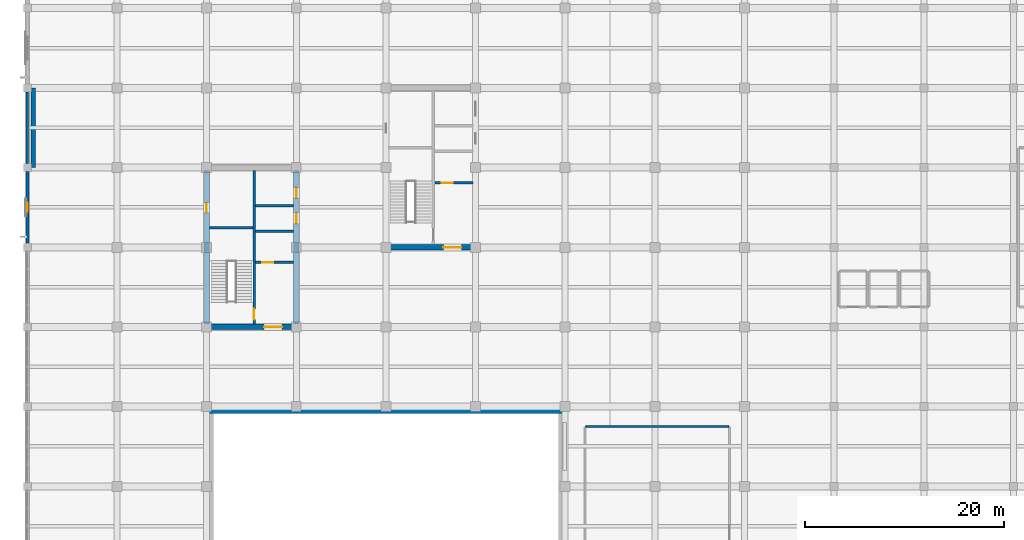
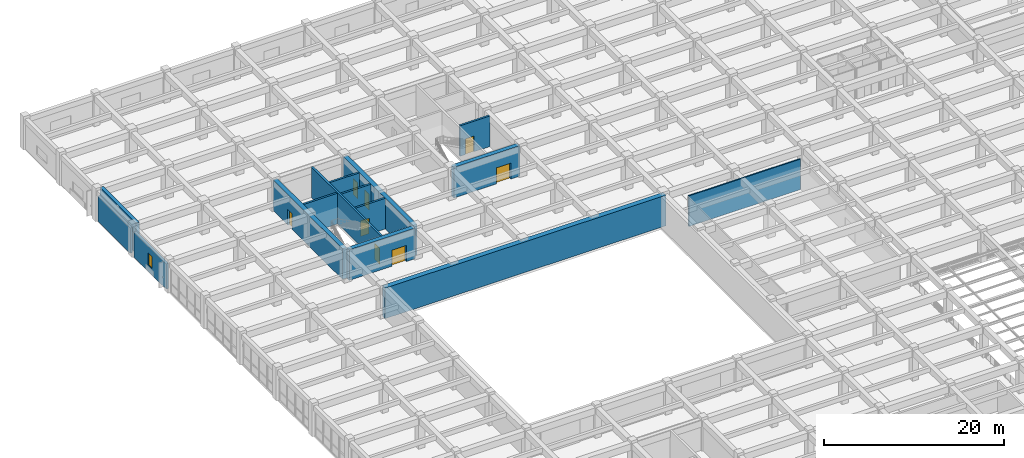
# One storey, part 29 of 50: 15 walls, 8 doors, 1 window, 9 openings.
"""IFC4 building model written with IfcOpenShell, lengths in metres."""

from ifc_helpers import new_model, si_unit, direction, frame, frame_2d, origin, place, context, subcontext, project, spatial, rectangle, extrude, material, layer, layer_set, type_object, element, fill, save


model = new_model("IFC4")

# Units and contexts
model_context = context("Model", 3, precision=1e-05, world=origin(), true_north=direction((0.0, 1.0)))
body_context = subcontext(model_context, "Body", "Model", "MODEL_VIEW")
ifc_project = project(units=[si_unit("LENGTHUNIT", "METRE"), si_unit("AREAUNIT", "SQUARE_METRE"), si_unit("VOLUMEUNIT", "CUBIC_METRE"), si_unit("PLANEANGLEUNIT", "RADIAN"), si_unit("MASSUNIT", "GRAM", prefix="KILO")], contexts=[model_context])

# Site, building, storey
site_placement = place(None, origin())
site = spatial("IfcSite", under=ifc_project, at=site_placement, CompositionType="ELEMENT")
building_placement = place(site_placement, origin())
building = spatial("IfcBuilding", under=site, at=building_placement, Name="Zaverband Oceanarium and Marine Research Institute", CompositionType="ELEMENT")
storey_placement = place(building_placement, frame((0.0, 0.0, 9.0)))
storey = spatial("IfcBuildingStorey", under=building, at=storey_placement, Name="L02", CompositionType="ELEMENT", Elevation=9.0)

# Wall, opening, door
ifc_material_1 = material(Name="Concrete C50/60", Category="concrete")
ifc_layer_1 = layer(ifc_material_1, 0.550048828125, Name="Concrete C50/60")
ifc_layer_set_1 = layer_set([ifc_layer_1], Name="Concrete C50/60")
wall_type_1 = type_object("IfcWallType", Name="CW-01", PredefinedType="SHEAR", material=ifc_layer_set_1)
wall_1_placement = place(storey_placement, frame((18.27490234375, 80.0, 0.0), z_axis=(0.0, 0.0, 1.0), x_axis=(1.0, 0.0, 0.0)))
wall_1 = element("IfcWall", 1, at=wall_1_placement, inside=storey, type_object=wall_type_1, Name="Structural shear wall CW-01", PredefinedType="SHEAR", context=body_context, shape_type="SweptSolid", body=[
    extrude(rectangle(XDim=8.4501953125, YDim=0.550048828125, at=frame_2d((4.22509765625, 0.0))), origin(), (0.0, 0.0, 1.0), 4.139892578125),
])
opening_1_placement = place(wall_1_placement, frame((5.5, 0.0, 0.0)))
opening_1 = element("IfcOpeningElement", 2, at=opening_1_placement, cuts=wall_1, Name="Opening FD-02", PredefinedType="OPENING", context=body_context, shape_type="SweptSolid", body=[
    extrude(rectangle(XDim=1.800048828125, YDim=2.179931640625, at=frame_2d((0.89990234375, 1.08984375))), frame((0.0, 0.287109375, 0.0), z_axis=(0.0, -1.0, 0.0), x_axis=(1.0, 0.0, 0.0)), (0.0, 0.0, 1.0), 0.573974609375),
])
ifc_material_2 = material(Name="Steel S355", Category="steel")
door_type_1 = type_object("IfcDoorType", Name="FD-02", OperationType="DOUBLE_DOOR_SINGLE_SWING", PredefinedType="DOOR", material=ifc_material_2)
door_1_placement = place(opening_1_placement, origin())
door_1 = element("IfcDoor", 3, at=door_1_placement, inside=storey, type_object=door_type_1, Name="Protected lobby double fire door FD-02", OperationType="DOUBLE_DOOR_SINGLE_SWING", OverallHeight=2.179931640625, OverallWidth=1.800048828125, PredefinedType="DOOR", context=body_context, shape_type="SweptSolid", body=[
    extrude(rectangle(XDim=1.800048828125, YDim=2.179931640625, at=frame_2d((0.89990234375, 1.08984375))), frame((0.0, 0.02490234375, 0.0), z_axis=(0.0, -1.0, 0.0), x_axis=(1.0, 0.0, 0.0)), (0.0, 0.0, 1.0), 0.050048828125),
])
fill(opening_1, door_1)

wall_2_placement = place(storey_placement, frame((18.0, 80.27490234375, 0.0), z_axis=(0.0, 0.0, 1.0), x_axis=(0.0, 1.0, 0.0)))
wall_2 = element("IfcWall", 4, at=wall_2_placement, inside=storey, type_object=wall_type_1, Name="Structural shear wall CW-01", PredefinedType="SHEAR", context=body_context, shape_type="SweptSolid", body=[
    extrude(rectangle(XDim=15.4501953125, YDim=0.550048828125, at=frame_2d((7.72509765625, 0.0))), origin(), (0.0, 0.0, 1.0), 4.139892578125),
])
opening_2_placement = place(wall_2_placement, frame((11.199951171875, 0.0, 0.0)))
opening_2 = element("IfcOpeningElement", 5, at=opening_2_placement, cuts=wall_2, Name="Opening FD-03", PredefinedType="OPENING", context=body_context, shape_type="SweptSolid", body=[
    extrude(rectangle(XDim=0.949951171875, YDim=2.10009765625, at=frame_2d((0.47509765625, 1.050048828125))), frame((0.0, 0.287109375, 0.0), z_axis=(0.0, -1.0, 0.0), x_axis=(1.0, 0.0, 0.0)), (0.0, 0.0, 1.0), 0.573974609375),
])
door_type_2 = type_object("IfcDoorType", Name="FD-03", OperationType="NOTDEFINED", PredefinedType="DOOR", material=ifc_material_2)
door_2_placement = place(opening_2_placement, origin())
door_2 = element("IfcDoor", 6, at=door_2_placement, inside=storey, type_object=door_type_2, Name="Service riser access fire door FD-03", OperationType="SINGLE_SWING_RIGHT", OverallHeight=2.10009765625, OverallWidth=0.949951171875, PredefinedType="DOOR", context=body_context, shape_type="SweptSolid", body=[
    extrude(rectangle(XDim=0.949951171875, YDim=2.10009765625, at=frame_2d((0.47509765625, 1.050048828125))), frame((0.0, 0.02490234375, 0.0), z_axis=(0.0, -1.0, 0.0), x_axis=(1.0, 0.0, 0.0)), (0.0, 0.0, 1.0), 0.050048828125),
])
fill(opening_2, door_2)

# Wall, openings, doors
wall_3_placement = place(storey_placement, frame((27.0, 80.27490234375, 0.0), z_axis=(0.0, 0.0, 1.0), x_axis=(0.0, 1.0, 0.0)))
wall_3 = element("IfcWall", 7, at=wall_3_placement, inside=storey, type_object=wall_type_1, Name="Structural shear wall CW-01", PredefinedType="SHEAR", context=body_context, shape_type="SweptSolid", body=[
    extrude(rectangle(XDim=15.4501953125, YDim=0.550048828125, at=frame_2d((7.72509765625, 0.0))), origin(), (0.0, 0.0, 1.0), 4.139892578125),
])
opening_3_placement = place(wall_3_placement, frame((10.10009765625, 0.0, 0.0)))
opening_3 = element("IfcOpeningElement", 8, at=opening_3_placement, cuts=wall_3, Name="Opening LD-02", PredefinedType="OPENING", context=body_context, shape_type="SweptSolid", body=[
    extrude(rectangle(XDim=1.050048828125, YDim=2.1201171875, at=frame_2d((0.52490234375, 1.06005859375))), frame((0.0, 0.287109375, 0.0), z_axis=(0.0, -1.0, 0.0), x_axis=(1.0, 0.0, 0.0)), (0.0, 0.0, 1.0), 0.573974609375),
])
opening_4_placement = place(wall_3_placement, frame((12.64990234375, 0.0, 0.0)))
opening_4 = element("IfcOpeningElement", 9, at=opening_4_placement, cuts=wall_3, Name="Opening LD-02", PredefinedType="OPENING", context=body_context, shape_type="SweptSolid", body=[
    extrude(rectangle(XDim=1.050048828125, YDim=2.1201171875, at=frame_2d((0.52490234375, 1.06005859375))), frame((0.0, 0.287109375, 0.0), z_axis=(0.0, -1.0, 0.0), x_axis=(1.0, 0.0, 0.0)), (0.0, 0.0, 1.0), 0.573974609375),
])
door_type_3 = type_object("IfcDoorType", Name="LD-02", OperationType="DOUBLE_DOOR_SLIDING", PredefinedType="DOOR", material=ifc_material_2)
door_3_placement = place(opening_3_placement, origin())
door_3 = element("IfcDoor", 10, at=door_3_placement, inside=storey, type_object=door_type_3, Name="Passenger lift sliding landing door LD-02", OperationType="DOUBLE_DOOR_SLIDING", OverallHeight=2.1201171875, OverallWidth=1.050048828125, PredefinedType="DOOR", context=body_context, shape_type="SweptSolid", body=[
    extrude(rectangle(XDim=1.050048828125, YDim=2.1201171875, at=frame_2d((0.52490234375, 1.06005859375))), frame((0.0, 0.02490234375, 0.0), z_axis=(0.0, -1.0, 0.0), x_axis=(1.0, 0.0, 0.0)), (0.0, 0.0, 1.0), 0.050048828125),
])
fill(opening_3, door_3)
door_4_placement = place(opening_4_placement, origin())
door_4 = element("IfcDoor", 11, at=door_4_placement, inside=storey, type_object=door_type_3, Name="Passenger lift sliding landing door LD-02", OperationType="DOUBLE_DOOR_SLIDING", OverallHeight=2.1201171875, OverallWidth=1.050048828125, PredefinedType="DOOR", context=body_context, shape_type="SweptSolid", body=[
    extrude(rectangle(XDim=1.050048828125, YDim=2.1201171875, at=frame_2d((0.52490234375, 1.06005859375))), frame((0.0, 0.02490234375, 0.0), z_axis=(0.0, -1.0, 0.0), x_axis=(1.0, 0.0, 0.0)), (0.0, 0.0, 1.0), 0.050048828125),
])
fill(opening_4, door_4)

# Wall, opening, door
wall_4_placement = place(storey_placement, frame((36.27490234375, 88.0, 0.0), z_axis=(0.0, 0.0, 1.0), x_axis=(1.0, 0.0, 0.0)))
wall_4 = element("IfcWall", 12, at=wall_4_placement, inside=storey, type_object=wall_type_1, Name="Structural shear wall CW-01", PredefinedType="SHEAR", context=body_context, shape_type="SweptSolid", body=[
    extrude(rectangle(XDim=8.4501953125, YDim=0.550048828125, at=frame_2d((4.22509765625, 0.0))), origin(), (0.0, 0.0, 1.0), 4.139892578125),
])
opening_5_placement = place(wall_4_placement, frame((5.5, 0.0, 0.0)))
opening_5 = element("IfcOpeningElement", 13, at=opening_5_placement, cuts=wall_4, Name="Opening FD-02", PredefinedType="OPENING", context=body_context, shape_type="SweptSolid", body=[
    extrude(rectangle(XDim=1.800048828125, YDim=2.179931640625, at=frame_2d((0.89990234375, 1.08984375))), frame((0.0, 0.287109375, 0.0), z_axis=(0.0, -1.0, 0.0), x_axis=(1.0, 0.0, 0.0)), (0.0, 0.0, 1.0), 0.573974609375),
])
door_5_placement = place(opening_5_placement, origin())
door_5 = element("IfcDoor", 14, at=door_5_placement, inside=storey, type_object=door_type_1, Name="Protected lobby double fire door FD-02", OperationType="DOUBLE_DOOR_SINGLE_SWING", OverallHeight=2.179931640625, OverallWidth=1.800048828125, PredefinedType="DOOR", context=body_context, shape_type="SweptSolid", body=[
    extrude(rectangle(XDim=1.800048828125, YDim=2.179931640625, at=frame_2d((0.89990234375, 1.08984375))), frame((0.0, 0.02490234375, 0.0), z_axis=(0.0, -1.0, 0.0), x_axis=(1.0, 0.0, 0.0)), (0.0, 0.0, 1.0), 0.050048828125),
])
fill(opening_5, door_5)

# Wall
ifc_material_3 = material(Name="Concrete C40/50 precast", Category="concrete")
ifc_layer_2 = layer(ifc_material_3, 0.264892578125, Name="Concrete C40/50 precast")
ifc_layer_set_2 = layer_set([ifc_layer_2], Name="Concrete C40/50 precast")
wall_type_2 = type_object("IfcWallType", Name="EW-265", PredefinedType="STANDARD", material=ifc_layer_set_2)
wall_5_placement = place(storey_placement, frame((0.0, 96.405029296875, 0.0), z_axis=(0.0, 0.0, 1.0), x_axis=(0.0, 1.0, 0.0)))
element("IfcWall", 15, at=wall_5_placement, inside=storey, type_object=wall_type_2, Name="Exterior infill wall EW-265", PredefinedType="STANDARD", context=body_context, shape_type="SweptSolid", body=[
    extrude(rectangle(XDim=7.18994140625, YDim=0.264892578125, at=frame_2d((3.594970703125, 0.0))), origin(), (0.0, 0.0, 1.0), 3.419921875),
])

# Wall, opening, window
ifc_layer_3 = layer(ifc_material_3, 0.2900390625, Name="Concrete C40/50 precast")
ifc_layer_set_3 = layer_set([ifc_layer_3], Name="Concrete C40/50 precast")
wall_type_3 = type_object("IfcWallType", Name="EW-290", PredefinedType="STANDARD", material=ifc_layer_set_3)
wall_6_placement = place(storey_placement, frame((0.0, 88.405029296875, 0.0), z_axis=(0.0, 0.0, 1.0), x_axis=(0.0, 1.0, 0.0)))
wall_6 = element("IfcWall", 16, at=wall_6_placement, inside=storey, type_object=wall_type_3, Name="Exterior infill wall EW-290", PredefinedType="STANDARD", context=body_context, shape_type="SweptSolid", body=[
    extrude(rectangle(XDim=7.18994140625, YDim=0.2900390625, at=frame_2d((3.594970703125, 0.0))), origin(), (0.0, 0.0, 1.0), 3.419921875),
])
opening_6_placement = place(wall_6_placement, frame((3.14501953125, 0.0, 0.85009765625)))
opening_6 = element("IfcOpeningElement", 17, at=opening_6_placement, cuts=wall_6, Name="Opening WN-900x1650", PredefinedType="OPENING", context=body_context, shape_type="SweptSolid", body=[
    extrude(rectangle(XDim=0.89990234375, YDim=1.64990234375, at=frame_2d((0.449951171875, 0.824951171875))), frame((0.0, 0.156982421875, 0.0), z_axis=(0.0, -1.0, 0.0), x_axis=(1.0, 0.0, 0.0)), (0.0, 0.0, 1.0), 0.31396484375),
])
ifc_material_4 = material(Name="Thermally broken anodized aluminium and solar-control glass", Category="aluminium")
window_type = type_object("IfcWindowType", Name="WN-900x1650", PartitioningType="SINGLE_PANEL", PredefinedType="WINDOW", material=ifc_material_4)
window_placement = place(opening_6_placement, origin())
window = element("IfcWindow", 18, at=window_placement, inside=storey, type_object=window_type, Name="Fixed / casement exterior window WN-900x1650", OverallHeight=1.64990234375, OverallWidth=0.89990234375, PartitioningType="SINGLE_PANEL", PredefinedType="WINDOW", context=body_context, shape_type="SweptSolid", body=[
    extrude(rectangle(XDim=0.89990234375, YDim=1.64990234375, at=frame_2d((0.449951171875, 0.824951171875))), frame((0.0, 0.030029296875, 0.0), z_axis=(0.0, -1.0, 0.0), x_axis=(1.0, 0.0, 0.0)), (0.0, 0.0, 1.0), 0.06005859375),
])
fill(opening_6, window)

# Wall
ifc_material_5 = material(Name="Corridor rated drywall partition")
ifc_layer_4 = layer(ifc_material_5, 0.1650390625, Name="Corridor rated drywall partition")
ifc_layer_set_4 = layer_set([ifc_layer_4], Name="Corridor rated drywall partition")
wall_type_4 = type_object("IfcWallType", Name="PT-165-CR", PredefinedType="PARTITIONING", material=ifc_layer_set_4)
wall_7_placement = place(storey_placement, frame((56.08251953125, 70.0, 0.0), z_axis=(0.0, 0.0, 1.0), x_axis=(1.0, 0.0, 0.0)))
element("IfcWall", 19, at=wall_7_placement, inside=storey, type_object=wall_type_4, Name="Internal partition PT-165-CR", PredefinedType="PARTITIONING", context=body_context, shape_type="SweptSolid", body=[
    extrude(rectangle(XDim=14.3349609375, YDim=0.1650390625, at=frame_2d((7.16748046875, 0.0))), origin(), (0.0, 0.0, 1.0), 4.139892578125),
])

# Wall, opening, door
ifc_layer_5 = layer(ifc_material_1, 0.25, Name="Concrete C50/60")
ifc_layer_set_5 = layer_set([ifc_layer_5], Name="Concrete C50/60")
wall_type_5 = type_object("IfcWallType", Name="PW-CORE-250", PredefinedType="SOLIDWALL", material=ifc_layer_set_5)
wall_8_placement = place(storey_placement, frame((22.77490234375, 80.27490234375, 0.0), z_axis=(0.0, 0.0, 1.0), x_axis=(0.0, 1.0, 0.0)))
wall_8 = element("IfcWall", 20, at=wall_8_placement, inside=storey, type_object=wall_type_5, Name="Structural concrete wall PW-CORE-250", PredefinedType="SOLIDWALL", context=body_context, shape_type="SweptSolid", body=[
    extrude(rectangle(XDim=15.4501953125, YDim=0.25, at=frame_2d((7.72509765625, 0.0))), origin(), (0.0, 0.0, 1.0), 4.139892578125),
])
opening_7_placement = place(wall_8_placement, frame((0.449951171875, 0.0, 0.0)))
opening_7 = element("IfcOpeningElement", 21, at=opening_7_placement, cuts=wall_8, Name="Opening FD-01", PredefinedType="OPENING", context=body_context, shape_type="SweptSolid", body=[
    extrude(rectangle(XDim=1.10009765625, YDim=2.14990234375, at=frame_2d((0.550048828125, 1.074951171875))), frame((0.0, 0.136962890625, 0.0), z_axis=(0.0, -1.0, 0.0), x_axis=(1.0, 0.0, 0.0)), (0.0, 0.0, 1.0), 0.27392578125),
])
door_type_4 = type_object("IfcDoorType", Name="FD-01", OperationType="NOTDEFINED", PredefinedType="DOOR", material=ifc_material_2)
door_6_placement = place(opening_7_placement, origin())
door_6 = element("IfcDoor", 22, at=door_6_placement, inside=storey, type_object=door_type_4, Name="Core stair / lobby fire door FD-01", OperationType="SINGLE_SWING_LEFT", OverallHeight=2.14990234375, OverallWidth=1.10009765625, PredefinedType="DOOR", context=body_context, shape_type="SweptSolid", body=[
    extrude(rectangle(XDim=1.10009765625, YDim=2.14990234375, at=frame_2d((0.550048828125, 1.074951171875))), frame((0.0, 0.02490234375, 0.0), z_axis=(0.0, -1.0, 0.0), x_axis=(1.0, 0.0, 0.0)), (0.0, 0.0, 1.0), 0.050048828125),
])
fill(opening_7, door_6)

# Wall
wall_9_placement = place(storey_placement, frame((18.27490234375, 89.97509765625, 0.0), z_axis=(0.0, 0.0, 1.0), x_axis=(1.0, 0.0, 0.0)))
element("IfcWall", 23, at=wall_9_placement, inside=storey, type_object=wall_type_5, Name="Structural concrete wall PW-CORE-250", PredefinedType="SOLIDWALL", context=body_context, shape_type="SweptSolid", body=[
    extrude(rectangle(XDim=4.3701171875, YDim=0.25, at=frame_2d((2.18505859375, 0.0))), origin(), (0.0, 0.0, 1.0), 4.139892578125),
])

# Wall, opening, door
wall_10_placement = place(storey_placement, frame((22.905029296875, 86.47509765625, 0.0), z_axis=(0.0, 0.0, 1.0), x_axis=(1.0, 0.0, 0.0)))
wall_10 = element("IfcWall", 24, at=wall_10_placement, inside=storey, type_object=wall_type_5, Name="Structural concrete wall PW-CORE-250", PredefinedType="SOLIDWALL", context=body_context, shape_type="SweptSolid", body=[
    extrude(rectangle(XDim=3.820068359375, YDim=0.25, at=frame_2d((1.91015625, 0.0))), origin(), (0.0, 0.0, 1.0), 4.139892578125),
])
opening_8_placement = place(wall_10_placement, frame((0.695068359375, 0.0, 0.0)))
opening_8 = element("IfcOpeningElement", 25, at=opening_8_placement, cuts=wall_10, Name="Opening LD-01", PredefinedType="OPENING", context=body_context, shape_type="SweptSolid", body=[
    extrude(rectangle(XDim=1.10009765625, YDim=2.1201171875, at=frame_2d((0.550048828125, 1.06005859375))), frame((0.0, 0.136962890625, 0.0), z_axis=(0.0, -1.0, 0.0), x_axis=(1.0, 0.0, 0.0)), (0.0, 0.0, 1.0), 0.27392578125),
])
door_type_5 = type_object("IfcDoorType", Name="LD-01", OperationType="DOUBLE_DOOR_SLIDING", PredefinedType="DOOR", material=ifc_material_2)
door_7_placement = place(opening_8_placement, origin())
door_7 = element("IfcDoor", 26, at=door_7_placement, inside=storey, type_object=door_type_5, Name="Firefighting lift sliding landing door LD-01", OperationType="DOUBLE_DOOR_SLIDING", OverallHeight=2.1201171875, OverallWidth=1.10009765625, PredefinedType="DOOR", context=body_context, shape_type="SweptSolid", body=[
    extrude(rectangle(XDim=1.10009765625, YDim=2.1201171875, at=frame_2d((0.550048828125, 1.06005859375))), frame((0.0, 0.02490234375, 0.0), z_axis=(0.0, -1.0, 0.0), x_axis=(1.0, 0.0, 0.0)), (0.0, 0.0, 1.0), 0.050048828125),
])
fill(opening_8, door_7)

# Walls
for number, where, z_axis, x_axis, name in (
    (27, (22.905029296875, 89.6298828125, 0.0), (0.0, 0.0, 1.0), (1.0, 0.0, 0.0), "Structural concrete wall PW-CORE-250"),
    (28, (22.905029296875, 92.179931640625, 0.0), (0.0, 0.0, 1.0), (1.0, 0.0, 0.0), "Structural concrete wall PW-CORE-250"),
):
    element("IfcWall", number, at=place(storey_placement, frame(where, z_axis=z_axis, x_axis=x_axis)), inside=storey, type_object=wall_type_5, Name=name, PredefinedType="SOLIDWALL", context=body_context, shape_type="SweptSolid", body=[
        extrude(rectangle(XDim=3.820068359375, YDim=0.25, at=frame_2d((1.91015625, 0.0))), origin(), (0.0, 0.0, 1.0), 4.139892578125),
    ])

# Wall, opening, door
wall_11_placement = place(storey_placement, frame((40.905029296875, 94.47509765625, 0.0), z_axis=(0.0, 0.0, 1.0), x_axis=(1.0, 0.0, 0.0)))
wall_11 = element("IfcWall", 29, at=wall_11_placement, inside=storey, type_object=wall_type_5, Name="Structural concrete wall PW-CORE-250", PredefinedType="SOLIDWALL", context=body_context, shape_type="SweptSolid", body=[
    extrude(rectangle(XDim=3.820068359375, YDim=0.25, at=frame_2d((1.91015625, 0.0))), origin(), (0.0, 0.0, 1.0), 4.139892578125),
])
opening_9_placement = place(wall_11_placement, frame((0.695068359375, 0.0, 0.0)))
opening_9 = element("IfcOpeningElement", 30, at=opening_9_placement, cuts=wall_11, Name="Opening LD-01", PredefinedType="OPENING", context=body_context, shape_type="SweptSolid", body=[
    extrude(rectangle(XDim=1.10009765625, YDim=2.1201171875, at=frame_2d((0.550048828125, 1.06005859375))), frame((0.0, 0.136962890625, 0.0), z_axis=(0.0, -1.0, 0.0), x_axis=(1.0, 0.0, 0.0)), (0.0, 0.0, 1.0), 0.27392578125),
])
door_8_placement = place(opening_9_placement, origin())
door_8 = element("IfcDoor", 31, at=door_8_placement, inside=storey, type_object=door_type_5, Name="Firefighting lift sliding landing door LD-01", OperationType="DOUBLE_DOOR_SLIDING", OverallHeight=2.1201171875, OverallWidth=1.10009765625, PredefinedType="DOOR", context=body_context, shape_type="SweptSolid", body=[
    extrude(rectangle(XDim=1.10009765625, YDim=2.1201171875, at=frame_2d((0.550048828125, 1.06005859375))), frame((0.0, 0.02490234375, 0.0), z_axis=(0.0, -1.0, 0.0), x_axis=(1.0, 0.0, 0.0)), (0.0, 0.0, 1.0), 0.050048828125),
])
fill(opening_9, door_8)

# Walls
ifc_layer_6 = layer(ifc_material_1, 0.419921875, Name="Concrete C50/60")
ifc_layer_set_6 = layer_set([ifc_layer_6], Name="Concrete C50/60")
wall_type_6 = type_object("IfcWallType", Name="SW-01", PredefinedType="SHEAR", material=ifc_layer_set_6)
wall_12_placement = place(storey_placement, frame((0.60009765625, 96.0, 0.0), z_axis=(0.0, 0.0, 1.0), x_axis=(0.0, 1.0, 0.0)))
element("IfcWall", 32, at=wall_12_placement, inside=storey, type_object=wall_type_6, Name="Structural shear wall SW-01", PredefinedType="SHEAR", context=body_context, shape_type="SweptSolid", body=[
    extrude(rectangle(XDim=8.0, YDim=0.419921875, at=frame_2d((4.0, 0.0))), origin(), (0.0, 0.0, 1.0), 4.139892578125),
])
ifc_material_6 = material(Name="Concrete C45/55", Category="concrete")
ifc_layer_7 = layer(ifc_material_6, 0.64990234375, Name="Concrete C45/55")
ifc_layer_set_7 = layer_set([ifc_layer_7], Name="Concrete C45/55")
wall_type_7 = type_object("IfcWallType", Name="TW-01", PredefinedType="SHEAR", material=ifc_layer_set_7)
wall_13_placement = place(storey_placement, frame((18.02490234375, 71.64990234375, 0.0), z_axis=(0.0, 0.0, 1.0), x_axis=(1.0, 0.0, 0.0)))
element("IfcWall", 33, at=wall_13_placement, inside=storey, type_object=wall_type_7, Name="Marine tank wall TW-01", PredefinedType="SHEAR", context=body_context, shape_type="SweptSolid", body=[
    extrude(rectangle(XDim=35.9501953125, YDim=0.64990234375, at=frame_2d((17.97509765625, 0.0))), origin(), (0.0, 0.0, 1.0), 4.139892578125),
])

save(model, "model.ifc")
